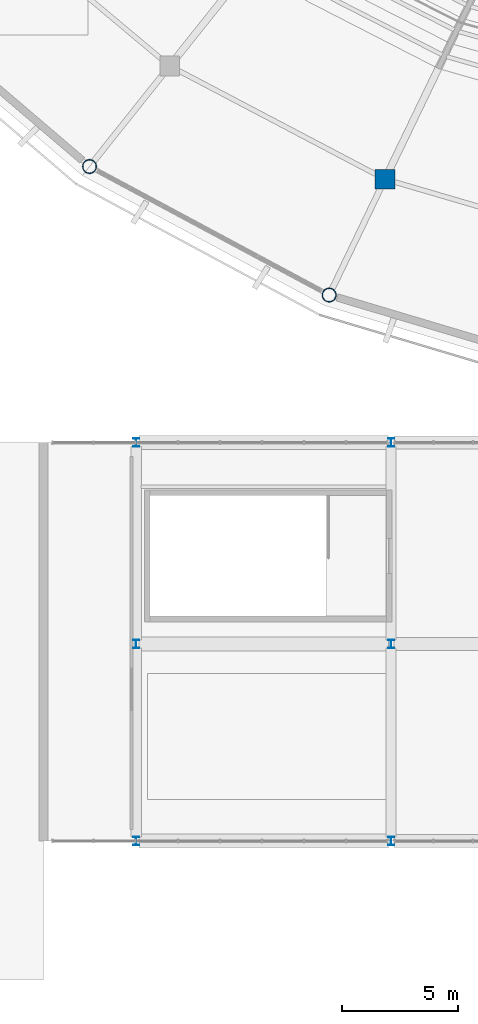
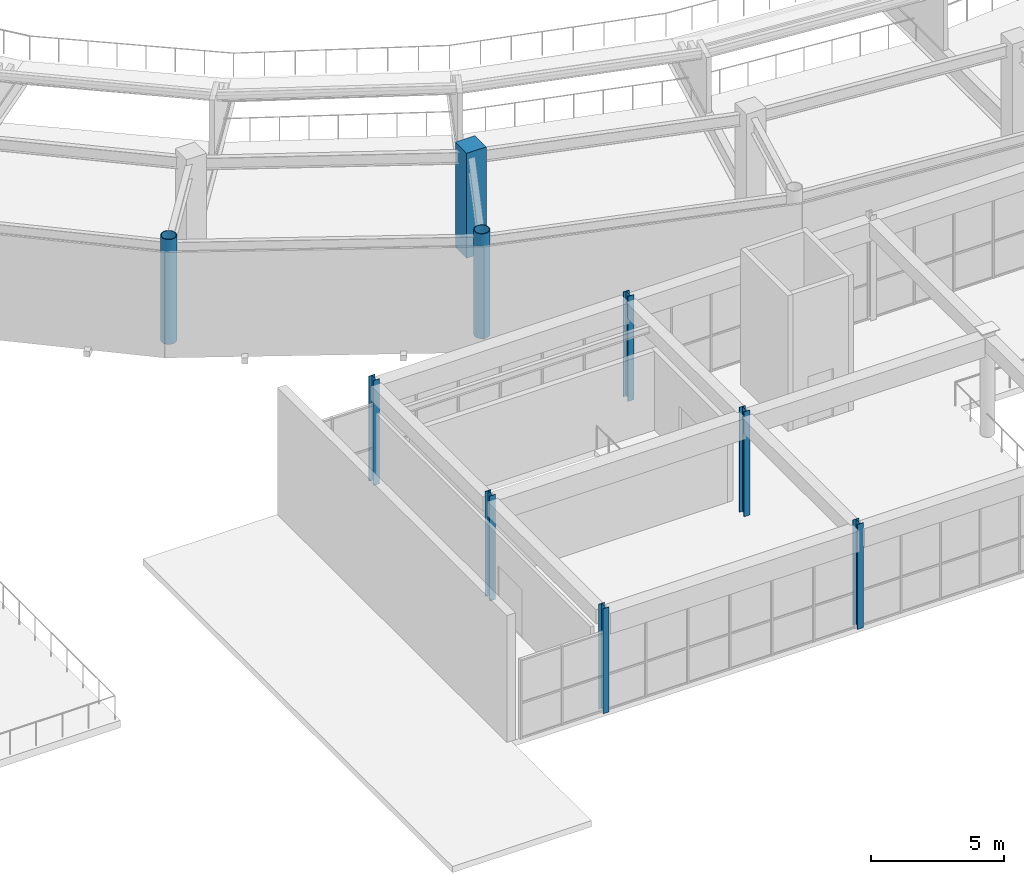
# One storey, part 2 of 122: 9 columns.
"""IFC4 building model written with IfcOpenShell, lengths in metres."""

from ifc_helpers import new_model, si_unit, direction, frame, origin, origin_2d, place, context, subcontext, project, spatial, rectangle, hollow_circle, i_section, extrude, material, material_profile, profile_set, type_object, element, save


model = new_model("IFC4")

# Units and contexts
model_context = context("Model", 3, precision=1e-05, world=origin(), true_north=direction((0.0, 1.0)))
body_context = subcontext(model_context, "Body", "Model", "MODEL_VIEW")
ifc_project = project(units=[si_unit("LENGTHUNIT", "METRE"), si_unit("AREAUNIT", "SQUARE_METRE"), si_unit("VOLUMEUNIT", "CUBIC_METRE"), si_unit("PLANEANGLEUNIT", "RADIAN"), si_unit("MASSUNIT", "GRAM", prefix="KILO")], contexts=[model_context])

# Site, building, storey
site_placement = place(None, origin())
site = spatial("IfcSite", under=ifc_project, at=site_placement, CompositionType="ELEMENT")
building_placement = place(site_placement, origin())
building = spatial("IfcBuilding", under=site, at=building_placement, Name="Cuetzalor Civic Arena", CompositionType="ELEMENT")
storey_placement = place(building_placement, frame((0.0, 0.0, 16.199951171875)))
storey = spatial("IfcBuildingStorey", under=building, at=storey_placement, Name="L03", CompositionType="ELEMENT", Elevation=16.199951171875)

# Columns
ifc_material_1 = material(Name="Concrete C40/50", Category="concrete")
ifc_material_profile_1 = material_profile(ifc_material_1, rectangle(XDim=0.85009765625, YDim=0.85009765625, at=origin_2d()), Name="RC 850x850")
ifc_profile_set_1 = profile_set([ifc_material_profile_1], Name="Concrete C40/50")
column_type_1 = type_object("IfcColumnType", Name="ConcreteColumn_850", PredefinedType="COLUMN", material=ifc_profile_set_1)
column_placement = place(storey_placement, frame((-21.26025390625, -36.939697265625, 0.0), z_axis=(0.0, 0.0, 1.0), x_axis=(1.0, 0.0, 0.0)))
element("IfcColumn", 1, at=column_placement, inside=storey, type_object=column_type_1, Name="Column V1-REC-20 L03", PredefinedType="COLUMN", context=body_context, shape_type="SweptSolid", body=[
    extrude(rectangle(XDim=0.85009765625, YDim=0.85009765625, at=origin_2d()), origin(), (0.0, 0.0, 1.0), 4.800048828125),
])
ifc_material_2 = material(Name="Steel S355", Category="steel")
ifc_material_profile_2 = material_profile(ifc_material_2, hollow_circle(Radius=0.304931640625, WallThickness=0.02490234375, at=origin_2d()), Name="CHS 610x25")
ifc_profile_set_2 = profile_set([ifc_material_profile_2], Name="Steel S355")
column_type_2 = type_object("IfcColumnType", Name="SteelDomePylon_CHS610", PredefinedType="COLUMN", material=ifc_profile_set_2)
for number, where, z_axis, x_axis, name in (
    (2, (-34.011474609375, -36.394287109375, 0.0), (0.0, 0.0, 1.0), (1.0, 0.0, 0.0), "Column V1-PYL-19 L03"),
    (3, (-23.66845703125, -41.940185546875, 0.0), (0.0, 0.0, 1.0), (1.0, 0.0, 0.0), "Column V1-PYL-20 L03"),
):
    element("IfcColumn", number, at=place(storey_placement, frame(where, z_axis=z_axis, x_axis=x_axis)), inside=storey, type_object=column_type_2, Name=name, PredefinedType="COLUMN", context=body_context, shape_type="SweptSolid", body=[
        extrude(hollow_circle(Radius=0.304931640625, WallThickness=0.02490234375, at=origin_2d()), origin(), (0.0, 0.0, 1.0), 4.800048828125),
    ])
ifc_material_3 = material(Name="Steel S355", Category="steel")
ifc_material_profile_3 = material_profile(ifc_material_3, i_section(OverallWidth=0.257080078125, OverallDepth=0.363037109375, WebThickness=0.012939453125, FlangeThickness=0.021728515625, at=origin_2d()), Name="W360x122")
ifc_profile_set_3 = profile_set([ifc_material_profile_3], Name="Steel S355")
column_type_3 = type_object("IfcColumnType", Name="SteelMezzColumn_W360", PredefinedType="COLUMN", material=ifc_profile_set_3)
for number, where, z_axis, x_axis, name in (
    (4, (-32.0, -65.5, 0.0), (0.0, 0.0, 1.0), (1.0, 0.0, 0.0), "Column V3-C-02-02 L03"),
    (5, (-32.0, -57.0, 0.0), (0.0, 0.0, 1.0), (1.0, 0.0, 0.0), "Column V3-C-02-03 L03"),
    (6, (-32.0, -48.300048828125, 0.0), (0.0, 0.0, 1.0), (1.0, 0.0, 0.0), "Column V3-C-02-04 L03"),
    (7, (-21.0, -65.5, 0.0), (0.0, 0.0, 1.0), (1.0, 0.0, 0.0), "Column V3-C-03-02 L03"),
    (8, (-21.0, -57.0, 0.0), (0.0, 0.0, 1.0), (1.0, 0.0, 0.0), "Column V3-C-03-03 L03"),
    (9, (-21.0, -48.300048828125, 0.0), (0.0, 0.0, 1.0), (1.0, 0.0, 0.0), "Column V3-C-03-04 L03"),
):
    element("IfcColumn", number, at=place(storey_placement, frame(where, z_axis=z_axis, x_axis=x_axis)), inside=storey, type_object=column_type_3, Name=name, PredefinedType="COLUMN", context=body_context, shape_type="SweptSolid", body=[
        extrude(i_section(OverallWidth=0.257080078125, OverallDepth=0.363037109375, WebThickness=0.012939453125, FlangeThickness=0.021728515625, at=origin_2d()), origin(), (0.0, 0.0, 1.0), 4.800048828125),
    ])

save(model, "model.ifc")
